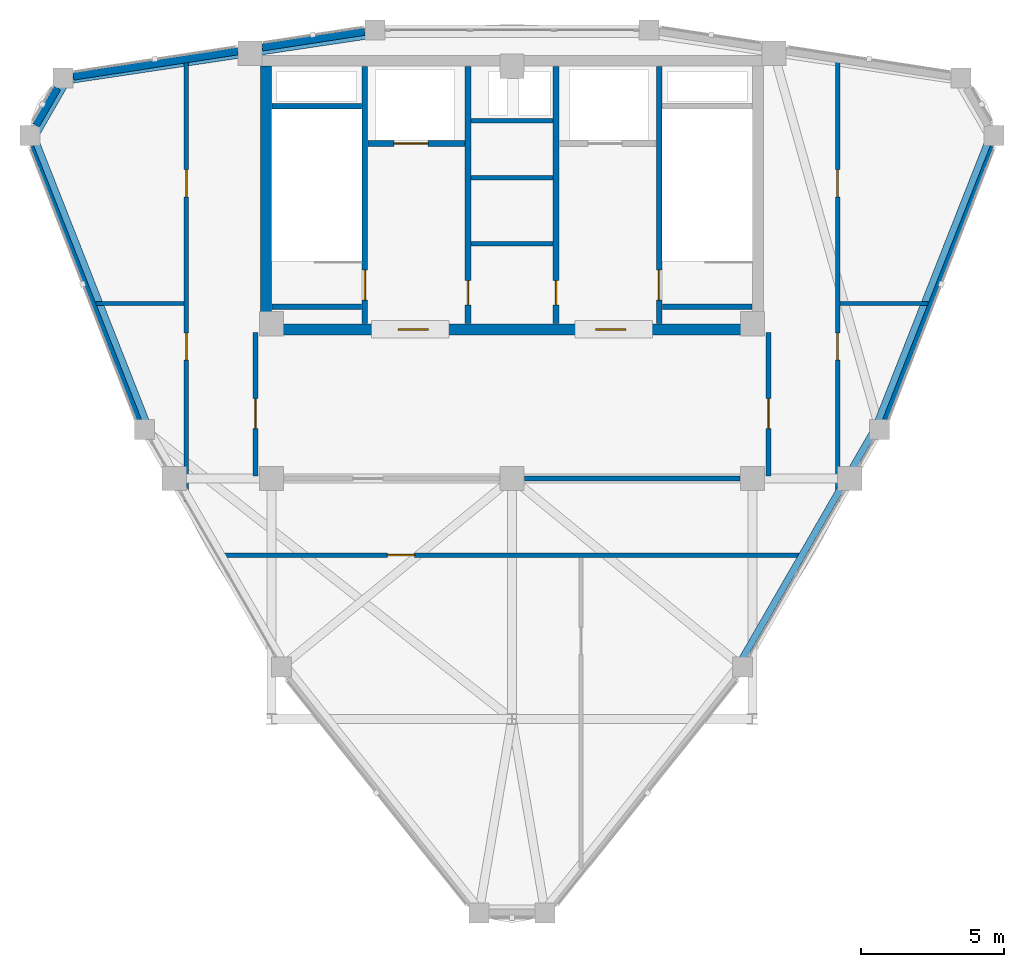
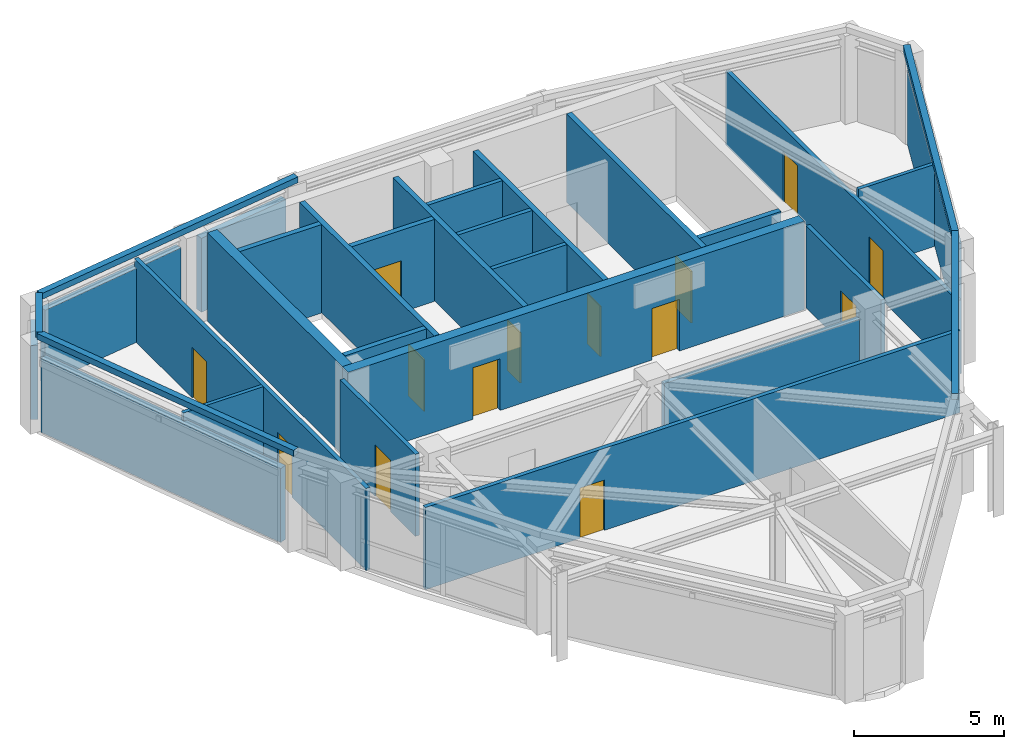
# One storey, part 11 of 13: 31 walls, 14 doors, 14 openings.
"""IFC4 building model written with IfcOpenShell, lengths in metres."""

from ifc_helpers import new_model, si_unit, derived_unit, direction, frame, frame_2d, origin, place, context, subcontext, project, spatial, rectangle, extrude, material, layer, layer_set, type_object, element, fill, save


model = new_model("IFC4")

# Units and contexts
model_context = context("Model", 3, precision=1e-05, world=origin(), true_north=direction((0.0, 1.0)))
body_context = subcontext(model_context, "Body", "Model", "MODEL_VIEW")
ifc_project = project(units=[si_unit("LENGTHUNIT", "METRE"), si_unit("AREAUNIT", "SQUARE_METRE"), si_unit("VOLUMEUNIT", "CUBIC_METRE"), si_unit("PLANEANGLEUNIT", "RADIAN"), si_unit("MASSUNIT", "GRAM", prefix="KILO"), derived_unit("THERMALTRANSMITTANCEUNIT", [(si_unit("POWERUNIT", "WATT"), 1), (si_unit("LENGTHUNIT", "METRE"), -2), (si_unit("THERMODYNAMICTEMPERATUREUNIT", "KELVIN"), -1)])], contexts=[model_context])

# Site, building, storey
site_placement = place(None, origin())
site = spatial("IfcSite", under=ifc_project, at=site_placement, CompositionType="ELEMENT")
building_placement = place(site_placement, origin())
building = spatial("IfcBuilding", under=site, at=building_placement, Name="Korsvarv Bourse and Concert Hall", CompositionType="ELEMENT")
storey_placement = place(building_placement, frame((0.0, 0.0, 296.10009765625)))
storey = spatial("IfcBuildingStorey", under=building, at=storey_placement, Name="L77", CompositionType="ELEMENT", Elevation=296.10009765625)

# Wall, openings, doors
ifc_material_1 = material(Name="Concrete C50/60", Category="concrete")
ifc_layer_1 = layer(ifc_material_1, 0.3798828125)
ifc_layer_set_1 = layer_set([ifc_layer_1], Name="Concrete C50/60")
wall_type_1 = type_object("IfcWallType", Name="WL-CORE-380", PredefinedType="SHEAR", material=ifc_layer_set_1)
wall_1_placement = place(storey_placement, frame((27.219970703125, 37.610107421875, 0.0), z_axis=(0.0, 0.0, 1.0), x_axis=(1.0, 0.0, 0.0)))
wall_1 = element("IfcWall", 1, at=wall_1_placement, inside=storey, type_object=wall_type_1, Name="L77 South Core Shear Wall", PredefinedType="SHEAR", context=body_context, shape_type="SweptSolid", body=[
    extrude(rectangle(XDim=17.56005859375, YDim=0.3798828125, at=frame_2d((8.780029296875, 0.0))), origin(), (0.0, 0.0, 1.0), 3.599853515625),
])
opening_1_placement = place(wall_1_placement, frame((4.804931640625, 0.0, 0.0)))
opening_1 = element("IfcOpeningElement", 2, at=opening_1_placement, cuts=wall_1, Name="Opening D-01", PredefinedType="OPENING", context=body_context, shape_type="SweptSolid", body=[
    extrude(rectangle(XDim=1.050048828125, YDim=2.10009765625, at=frame_2d((0.52490234375, 1.050048828125))), frame((0.0, 0.199951171875, 0.0), z_axis=(0.0, -1.0, 0.0), x_axis=(1.0, 0.0, 0.0)), (0.0, 0.0, 1.0), 0.39990234375),
])
opening_2_placement = place(wall_1_placement, frame((11.705078125, 0.0, 0.0)))
opening_2 = element("IfcOpeningElement", 3, at=opening_2_placement, cuts=wall_1, Name="Opening D-01", PredefinedType="OPENING", context=body_context, shape_type="SweptSolid", body=[
    extrude(rectangle(XDim=1.050048828125, YDim=2.10009765625, at=frame_2d((0.52490234375, 1.050048828125))), frame((0.0, 0.199951171875, 0.0), z_axis=(0.0, -1.0, 0.0), x_axis=(1.0, 0.0, 0.0)), (0.0, 0.0, 1.0), 0.39990234375),
])
ifc_material_2 = material(Name="Steel S355 fire door", Category="steel")
door_type_1 = type_object("IfcDoorType", Name="DR-FD60", OperationType="NOTDEFINED", PredefinedType="DOOR", material=ifc_material_2)
door_1_placement = place(opening_1_placement, frame((1.050048828125, 0.0, 0.0), z_axis=(0.0, 0.0, 1.0), x_axis=(-1.0, 0.0, 0.0)))
door_1 = element("IfcDoor", 4, at=door_1_placement, inside=storey, type_object=door_type_1, Name="L77 firefighting lobby fire door DR-L77-FFLW", OperationType="SINGLE_SWING_RIGHT", OverallHeight=2.10009765625, OverallWidth=1.050048828125, PredefinedType="DOOR", context=body_context, shape_type="SweptSolid", body=[
    extrude(rectangle(XDim=1.050048828125, YDim=2.10009765625, at=frame_2d((0.52490234375, 1.050048828125))), frame((0.0, 0.02490234375, 0.0), z_axis=(0.0, -1.0, 0.0), x_axis=(1.0, 0.0, 0.0)), (0.0, 0.0, 1.0), 0.050048828125),
])
fill(opening_1, door_1)
door_2_placement = place(opening_2_placement, frame((1.050048828125, 0.0, 0.0), z_axis=(0.0, 0.0, 1.0), x_axis=(-1.0, 0.0, 0.0)))
door_2 = element("IfcDoor", 5, at=door_2_placement, inside=storey, type_object=door_type_1, Name="L77 firefighting lobby fire door DR-L77-FFLE", OperationType="SINGLE_SWING_LEFT", OverallHeight=2.10009765625, OverallWidth=1.050048828125, PredefinedType="DOOR", context=body_context, shape_type="SweptSolid", body=[
    extrude(rectangle(XDim=1.050048828125, YDim=2.10009765625, at=frame_2d((0.52490234375, 1.050048828125))), frame((0.0, 0.02490234375, 0.0), z_axis=(0.0, -1.0, 0.0), x_axis=(1.0, 0.0, 0.0)), (0.0, 0.0, 1.0), 0.050048828125),
])
fill(opening_2, door_2)

# Wall
wall_2_placement = place(storey_placement, frame((27.409912109375, 37.800048828125, 0.0), z_axis=(0.0, 0.0, 1.0), x_axis=(0.0, 1.0, 0.0)))
element("IfcWall", 6, at=wall_2_placement, inside=storey, type_object=wall_type_1, Name="L77 West Core Shear Wall", PredefinedType="SHEAR", context=body_context, shape_type="SweptSolid", body=[
    extrude(rectangle(XDim=9.0, YDim=0.3798828125, at=frame_2d((4.5, 0.0))), origin(), (0.0, 0.0, 1.0), 3.599853515625),
])

# Wall, opening, door
wall_3_placement = place(storey_placement, frame((30.860107421875, 37.81005859375, 0.0), z_axis=(0.0, 0.0, 1.0), x_axis=(0.0, 1.0, 0.0)))
wall_3 = element("IfcWall", 7, at=wall_3_placement, inside=storey, type_object=wall_type_1, Name="L77 stair shaft structural wall W-L77-ST1-E", PredefinedType="SHEAR", context=body_context, shape_type="SweptSolid", body=[
    extrude(rectangle(XDim=8.97998046875, YDim=0.199951171875, at=frame_2d((4.489990234375, 0.0))), origin(), (0.0, 0.0, 1.0), 3.599853515625),
])
opening_3_placement = place(wall_3_placement, frame((0.820068359375, 0.0, 0.0)))
opening_3 = element("IfcOpeningElement", 8, at=opening_3_placement, cuts=wall_3, Name="Opening D-01", PredefinedType="OPENING", context=body_context, shape_type="SweptSolid", body=[
    extrude(rectangle(XDim=1.050048828125, YDim=2.10009765625, at=frame_2d((0.52490234375, 1.050048828125))), frame((0.0, 0.10986328125, 0.0), z_axis=(0.0, -1.0, 0.0), x_axis=(1.0, 0.0, 0.0)), (0.0, 0.0, 1.0), 0.219970703125),
])
door_3_placement = place(opening_3_placement, origin())
door_3 = element("IfcDoor", 9, at=door_3_placement, inside=storey, type_object=door_type_1, Name="L77 interior door DR-L77-ST1", OperationType="SINGLE_SWING_LEFT", OverallHeight=2.10009765625, OverallWidth=1.050048828125, PredefinedType="DOOR", context=body_context, shape_type="SweptSolid", body=[
    extrude(rectangle(XDim=1.050048828125, YDim=2.10009765625, at=frame_2d((0.52490234375, 1.050048828125))), frame((0.0, 0.02490234375, 0.0), z_axis=(0.0, -1.0, 0.0), x_axis=(1.0, 0.0, 0.0)), (0.0, 0.0, 1.0), 0.050048828125),
])
fill(opening_3, door_3)

# Walls
for number, where, z_axis, x_axis, name in (
    (10, (27.610107421875, 45.39990234375, 0.0), (0.0, 0.0, 1.0), (1.0, 0.0, 0.0), "L77 stair shaft structural wall W-L77-ST1-N"),
    (11, (27.610107421875, 38.39990234375, 0.0), (0.0, 0.0, 1.0), (1.0, 0.0, 0.0), "L77 stair shaft structural wall W-L77-ST1-S"),
):
    element("IfcWall", number, at=place(storey_placement, frame(where, z_axis=z_axis, x_axis=x_axis)), inside=storey, type_object=wall_type_1, Name=name, PredefinedType="SHEAR", context=body_context, shape_type="SweptSolid", body=[
        extrude(rectangle(XDim=3.139892578125, YDim=0.199951171875, at=frame_2d((1.56982421875, 0.0))), origin(), (0.0, 0.0, 1.0), 3.599853515625),
    ])

# Wall, opening, door
wall_4_placement = place(storey_placement, frame((41.139892578125, 37.81005859375, 0.0), z_axis=(0.0, 0.0, 1.0), x_axis=(0.0, 1.0, 0.0)))
wall_4 = element("IfcWall", 12, at=wall_4_placement, inside=storey, type_object=wall_type_1, Name="L77 stair shaft structural wall W-L77-ST2-W", PredefinedType="SHEAR", context=body_context, shape_type="SweptSolid", body=[
    extrude(rectangle(XDim=8.97998046875, YDim=0.199951171875, at=frame_2d((4.489990234375, 0.0))), origin(), (0.0, 0.0, 1.0), 3.599853515625),
])
opening_4_placement = place(wall_4_placement, frame((0.820068359375, 0.0, 0.0)))
opening_4 = element("IfcOpeningElement", 13, at=opening_4_placement, cuts=wall_4, Name="Opening D-01", PredefinedType="OPENING", context=body_context, shape_type="SweptSolid", body=[
    extrude(rectangle(XDim=1.050048828125, YDim=2.10009765625, at=frame_2d((0.52490234375, 1.050048828125))), frame((0.0, 0.10986328125, 0.0), z_axis=(0.0, -1.0, 0.0), x_axis=(1.0, 0.0, 0.0)), (0.0, 0.0, 1.0), 0.219970703125),
])
door_4_placement = place(opening_4_placement, frame((1.050048828125, 0.0, 0.0), z_axis=(0.0, 0.0, 1.0), x_axis=(-1.0, 0.0, 0.0)))
door_4 = element("IfcDoor", 14, at=door_4_placement, inside=storey, type_object=door_type_1, Name="L77 interior door DR-L77-ST2", OperationType="SINGLE_SWING_RIGHT", OverallHeight=2.10009765625, OverallWidth=1.050048828125, PredefinedType="DOOR", context=body_context, shape_type="SweptSolid", body=[
    extrude(rectangle(XDim=1.050048828125, YDim=2.10009765625, at=frame_2d((0.52490234375, 1.050048828125))), frame((0.0, 0.02490234375, 0.0), z_axis=(0.0, -1.0, 0.0), x_axis=(1.0, 0.0, 0.0)), (0.0, 0.0, 1.0), 0.050048828125),
])
fill(opening_4, door_4)

# Walls
wall_5_placement = place(storey_placement, frame((41.25, 38.39990234375, 0.0), z_axis=(0.0, 0.0, 1.0), x_axis=(1.0, 0.0, 0.0)))
element("IfcWall", 15, at=wall_5_placement, inside=storey, type_object=wall_type_1, Name="L77 stair shaft structural wall W-L77-ST2-S", PredefinedType="SHEAR", context=body_context, shape_type="SweptSolid", body=[
    extrude(rectangle(XDim=3.139892578125, YDim=0.199951171875, at=frame_2d((1.56982421875, 0.0))), origin(), (0.0, 0.0, 1.0), 3.599853515625),
])
ifc_material_3 = material(Name="Insulated aluminium and terracotta crown enclosure wall", Category="concrete")
ifc_layer_2 = layer(ifc_material_3, 0.260009765625)
ifc_layer_set_2 = layer_set([ifc_layer_2], Name="Insulated aluminium and terracotta crown enclosure wall")
wall_type_2 = type_object("IfcWallType", Name="WL-EXT-CRN", PredefinedType="SOLIDWALL", material=ifc_layer_set_2)
wall_6_placement = place(storey_placement, frame((30.855224609375, 48.01025390625, 0.0), z_axis=(0.0, 0.0, 1.0), x_axis=(-0.988360771452, -0.152128187575, 0.0)))
element("IfcWall", 16, at=wall_6_placement, inside=storey, type_object=wall_type_2, Name="L77 terracotta exterior wall EW-L77-CRN04-1", PredefinedType="SOLIDWALL", context=body_context, shape_type="SweptSolid", body=[
    extrude(rectangle(XDim=3.6171875, YDim=0.260009765625, at=frame_2d((1.80859375, 0.0))), origin(), (0.0, 0.0, 1.0), 3.010009765625),
])
wall_7_placement = place(storey_placement, frame((26.419921875, 47.327392578125, 0.0), z_axis=(0.0, 0.0, 1.0), x_axis=(-0.98836100704, -0.152126656979, 0.0)))
element("IfcWall", 17, at=wall_7_placement, inside=storey, type_object=wall_type_2, Name="L77 terracotta exterior wall EW-L77-CRN04-2", PredefinedType="SOLIDWALL", context=body_context, shape_type="SweptSolid", body=[
    extrude(rectangle(XDim=5.8095703125, YDim=0.260009765625, at=frame_2d((2.90478515625, 0.0))), origin(), (0.0, 0.0, 1.0), 3.010009765625),
])
wall_8_placement = place(storey_placement, frame((20.117919921875, 46.03369140625, 0.0), z_axis=(0.0, 0.0, 1.0), x_axis=(-0.500033033937, -0.866006330792, 0.0)))
element("IfcWall", 18, at=wall_8_placement, inside=storey, type_object=wall_type_2, Name="L77 terracotta exterior wall EW-L77-CRN05", PredefinedType="SOLIDWALL", context=body_context, shape_type="SweptSolid", body=[
    extrude(rectangle(XDim=1.4970703125, YDim=0.260009765625, at=frame_2d((0.74853515625, 0.0))), origin(), (0.0, 0.0, 1.0), 3.010009765625),
])
for number, where, z_axis, x_axis, name in (
    (19, (19.302490234375, 44.02734375, 0.0), (0.0, 0.0, 1.0), (0.362411790687, -0.93201807599, 0.0), "L77 terracotta exterior wall EW-L77-CRN06"),
    (20, (48.9814453125, 34.470703125, 0.0), (0.0, 0.0, 1.0), (0.362411790687, 0.93201807599, 0.0), "L77 terracotta exterior wall EW-L77-CRN12"),
):
    element("IfcWall", number, at=place(storey_placement, frame(where, z_axis=z_axis, x_axis=x_axis)), inside=storey, type_object=wall_type_2, Name=name, PredefinedType="SOLIDWALL", context=body_context, shape_type="SweptSolid", body=[
        extrude(rectangle(XDim=10.253662109375, YDim=0.260009765625, at=frame_2d((5.126953125, 0.0))), origin(), (0.0, 0.0, 1.0), 3.010009765625),
    ])

# Wall, opening, door
ifc_material_4 = material(Name="Reinforced concrete blockwork C35/45 fire wall", Category="concrete")
ifc_layer_3 = layer(ifc_material_4, 0.199951171875)
ifc_layer_set_3 = layer_set([ifc_layer_3], Name="Reinforced concrete blockwork C35/45 fire wall")
wall_type_3 = type_object("IfcWallType", Name="WL-INT-EI120", PredefinedType="PARTITIONING", material=ifc_layer_set_3)
wall_9_placement = place(storey_placement, frame((30.969970703125, 44.10009765625, 0.0), z_axis=(0.0, 0.0, 1.0), x_axis=(1.0, 0.0, 0.0)))
wall_9 = element("IfcWall", 21, at=wall_9_placement, inside=storey, type_object=wall_type_3, Name="L77 interior partition wall W-L77-FF1-S", PredefinedType="PARTITIONING", context=body_context, shape_type="SweptSolid", body=[
    extrude(rectangle(XDim=3.380126953125, YDim=0.199951171875, at=frame_2d((1.68994140625, 0.0))), origin(), (0.0, 0.0, 1.0), 3.33984375),
])
opening_5_placement = place(wall_9_placement, frame((0.89990234375, 0.0, 0.0)))
opening_5 = element("IfcOpeningElement", 22, at=opening_5_placement, cuts=wall_9, Name="Opening LD-1", PredefinedType="OPENING", context=body_context, shape_type="SweptSolid", body=[
    extrude(rectangle(XDim=1.199951171875, YDim=2.10009765625, at=frame_2d((0.60009765625, 1.050048828125))), frame((0.0, 0.10986328125, 0.0), z_axis=(0.0, -1.0, 0.0), x_axis=(1.0, 0.0, 0.0)), (0.0, 0.0, 1.0), 0.219970703125),
])
ifc_material_5 = material(Name="Stainless Steel S355 firefighting lift landing door", Category="steel")
door_type_2 = type_object("IfcDoorType", Name="DR-LIFT-FF", OperationType="DOUBLE_DOOR_SLIDING", PredefinedType="DOOR", material=ifc_material_5)
door_5_placement = place(opening_5_placement, origin())
door_5 = element("IfcDoor", 23, at=door_5_placement, inside=storey, type_object=door_type_2, Name="L77 lift sliding landing door LD-L77-FF1", OperationType="DOUBLE_DOOR_SLIDING", OverallHeight=2.10009765625, OverallWidth=1.199951171875, PredefinedType="DOOR", context=body_context, shape_type="SweptSolid", body=[
    extrude(rectangle(XDim=1.199951171875, YDim=2.10009765625, at=frame_2d((0.60009765625, 1.050048828125))), frame((0.0, 0.02490234375, 0.0), z_axis=(0.0, -1.0, 0.0), x_axis=(1.0, 0.0, 0.0)), (0.0, 0.0, 1.0), 0.050048828125),
])
fill(opening_5, door_5)

wall_10_placement = place(storey_placement, frame((34.4599609375, 37.81005859375, 0.0), z_axis=(0.0, 0.0, 1.0), x_axis=(0.0, 1.0, 0.0)))
wall_10 = element("IfcWall", 24, at=wall_10_placement, inside=storey, type_object=wall_type_3, Name="L77 interior partition wall W-L77-CSB-W", PredefinedType="PARTITIONING", context=body_context, shape_type="SweptSolid", body=[
    extrude(rectangle(XDim=8.97998046875, YDim=0.199951171875, at=frame_2d((4.489990234375, 0.0))), origin(), (0.0, 0.0, 1.0), 3.33984375),
])
opening_6_placement = place(wall_10_placement, frame((0.64990234375, 0.0, 0.0)))
opening_6 = element("IfcOpeningElement", 25, at=opening_6_placement, cuts=wall_10, Name="Opening D-05", PredefinedType="OPENING", context=body_context, shape_type="SweptSolid", body=[
    extrude(rectangle(XDim=0.85009765625, YDim=2.050048828125, at=frame_2d((0.425048828125, 1.02490234375))), frame((0.0, 0.10986328125, 0.0), z_axis=(0.0, -1.0, 0.0), x_axis=(1.0, 0.0, 0.0)), (0.0, 0.0, 1.0), 0.219970703125),
])
door_type_3 = type_object("IfcDoorType", Name="DR-FD60-850X2050", OperationType="NOTDEFINED", PredefinedType="DOOR", material=ifc_material_2)
door_6_placement = place(opening_6_placement, frame((0.85009765625, 0.0, 0.0), z_axis=(0.0, 0.0, 1.0), x_axis=(-1.0, 0.0, 0.0)))
door_6 = element("IfcDoor", 26, at=door_6_placement, inside=storey, type_object=door_type_3, Name="L77 interior door DR-L77-CSB1", OperationType="SINGLE_SWING_LEFT", OverallHeight=2.050048828125, OverallWidth=0.85009765625, PredefinedType="DOOR", context=body_context, shape_type="SweptSolid", body=[
    extrude(rectangle(XDim=0.85009765625, YDim=2.050048828125, at=frame_2d((0.425048828125, 1.02490234375))), frame((0.0, 0.02490234375, 0.0), z_axis=(0.0, -1.0, 0.0), x_axis=(1.0, 0.0, 0.0)), (0.0, 0.0, 1.0), 0.050048828125),
])
fill(opening_6, door_6)

wall_11_placement = place(storey_placement, frame((37.5400390625, 37.81005859375, 0.0), z_axis=(0.0, 0.0, 1.0), x_axis=(0.0, 1.0, 0.0)))
wall_11 = element("IfcWall", 27, at=wall_11_placement, inside=storey, type_object=wall_type_3, Name="L77 interior partition wall W-L77-CSB-E", PredefinedType="PARTITIONING", context=body_context, shape_type="SweptSolid", body=[
    extrude(rectangle(XDim=8.97998046875, YDim=0.199951171875, at=frame_2d((4.489990234375, 0.0))), origin(), (0.0, 0.0, 1.0), 3.33984375),
])
opening_7_placement = place(wall_11_placement, frame((0.64990234375, 0.0, 0.0)))
opening_7 = element("IfcOpeningElement", 28, at=opening_7_placement, cuts=wall_11, Name="Opening D-05", PredefinedType="OPENING", context=body_context, shape_type="SweptSolid", body=[
    extrude(rectangle(XDim=0.85009765625, YDim=2.050048828125, at=frame_2d((0.425048828125, 1.02490234375))), frame((0.0, 0.10986328125, 0.0), z_axis=(0.0, -1.0, 0.0), x_axis=(1.0, 0.0, 0.0)), (0.0, 0.0, 1.0), 0.219970703125),
])
door_7_placement = place(opening_7_placement, origin())
door_7 = element("IfcDoor", 29, at=door_7_placement, inside=storey, type_object=door_type_3, Name="L77 interior door DR-L77-CSB2", OperationType="SINGLE_SWING_RIGHT", OverallHeight=2.050048828125, OverallWidth=0.85009765625, PredefinedType="DOOR", context=body_context, shape_type="SweptSolid", body=[
    extrude(rectangle(XDim=0.85009765625, YDim=2.050048828125, at=frame_2d((0.425048828125, 1.02490234375))), frame((0.0, 0.02490234375, 0.0), z_axis=(0.0, -1.0, 0.0), x_axis=(1.0, 0.0, 0.0)), (0.0, 0.0, 1.0), 0.050048828125),
])
fill(opening_7, door_7)

# Walls
ifc_material_6 = material(Name="Double-stud fire-rated acoustic partition", Category="gypsum")
ifc_layer_4 = layer(ifc_material_6, 0.159912109375)
ifc_layer_set_4 = layer_set([ifc_layer_4], Name="Double-stud fire-rated acoustic partition")
wall_type_4 = type_object("IfcWallType", Name="WL-INT-EI60", PredefinedType="PARTITIONING", material=ifc_layer_set_4)
for number, where, z_axis, x_axis, name in (
    (30, (34.570068359375, 40.60009765625, 0.0), (0.0, 0.0, 1.0), (1.0, 0.0, 0.0), "L77 interior partition wall W-L77-K1"),
    (31, (34.570068359375, 42.89990234375, 0.0), (0.0, 0.0, 1.0), (1.0, 0.0, 0.0), "L77 interior partition wall W-L77-K2"),
    (32, (34.570068359375, 44.89990234375, 0.0), (0.0, 0.0, 1.0), (1.0, 0.0, 0.0), "L77 interior partition wall W-L77-K3"),
):
    element("IfcWall", number, at=place(storey_placement, frame(where, z_axis=z_axis, x_axis=x_axis)), inside=storey, type_object=wall_type_4, Name=name, PredefinedType="PARTITIONING", context=body_context, shape_type="SweptSolid", body=[
        extrude(rectangle(XDim=2.85986328125, YDim=0.159912109375, at=frame_2d((1.429931640625, 0.0))), origin(), (0.0, 0.0, 1.0), 3.33984375),
    ])

# Wall, opening, door
wall_12_placement = place(storey_placement, frame((27.0400390625, 32.489990234375, 0.0), z_axis=(0.0, 0.0, 1.0), x_axis=(0.0, 1.0, 0.0)))
wall_12 = element("IfcWall", 33, at=wall_12_placement, inside=storey, type_object=wall_type_4, Name="L77 interior partition wall W-L77-CB-W", PredefinedType="PARTITIONING", context=body_context, shape_type="SweptSolid", body=[
    extrude(rectangle(XDim=5.010009765625, YDim=0.159912109375, at=frame_2d((2.5048828125, 0.0))), origin(), (0.0, 0.0, 1.0), 3.33984375),
])
opening_8_placement = place(wall_12_placement, frame((1.64990234375, 0.0, 0.0)))
opening_8 = element("IfcOpeningElement", 34, at=opening_8_placement, cuts=wall_12, Name="Opening D-01", PredefinedType="OPENING", context=body_context, shape_type="SweptSolid", body=[
    extrude(rectangle(XDim=1.050048828125, YDim=2.10009765625, at=frame_2d((0.52490234375, 1.050048828125))), frame((0.0, 0.08984375, 0.0), z_axis=(0.0, -1.0, 0.0), x_axis=(1.0, 0.0, 0.0)), (0.0, 0.0, 1.0), 0.179931640625),
])
door_8_placement = place(opening_8_placement, frame((1.050048828125, 0.0, 0.0), z_axis=(0.0, 0.0, 1.0), x_axis=(-1.0, 0.0, 0.0)))
door_8 = element("IfcDoor", 35, at=door_8_placement, inside=storey, type_object=door_type_1, Name="L77 interior door DR-L77-CLOB-W", OperationType="SINGLE_SWING_RIGHT", OverallHeight=2.10009765625, OverallWidth=1.050048828125, PredefinedType="DOOR", context=body_context, shape_type="SweptSolid", body=[
    extrude(rectangle(XDim=1.050048828125, YDim=2.10009765625, at=frame_2d((0.52490234375, 1.050048828125))), frame((0.0, 0.02490234375, 0.0), z_axis=(0.0, -1.0, 0.0), x_axis=(1.0, 0.0, 0.0)), (0.0, 0.0, 1.0), 0.050048828125),
])
fill(opening_8, door_8)

wall_13_placement = place(storey_placement, frame((44.9599609375, 32.489990234375, 0.0), z_axis=(0.0, 0.0, 1.0), x_axis=(0.0, 1.0, 0.0)))
wall_13 = element("IfcWall", 36, at=wall_13_placement, inside=storey, type_object=wall_type_4, Name="L77 interior partition wall W-L77-CB-E", PredefinedType="PARTITIONING", context=body_context, shape_type="SweptSolid", body=[
    extrude(rectangle(XDim=5.010009765625, YDim=0.159912109375, at=frame_2d((2.5048828125, 0.0))), origin(), (0.0, 0.0, 1.0), 3.33984375),
])
opening_9_placement = place(wall_13_placement, frame((1.64990234375, 0.0, 0.0)))
opening_9 = element("IfcOpeningElement", 37, at=opening_9_placement, cuts=wall_13, Name="Opening D-01", PredefinedType="OPENING", context=body_context, shape_type="SweptSolid", body=[
    extrude(rectangle(XDim=1.050048828125, YDim=2.10009765625, at=frame_2d((0.52490234375, 1.050048828125))), frame((0.0, 0.08984375, 0.0), z_axis=(0.0, -1.0, 0.0), x_axis=(1.0, 0.0, 0.0)), (0.0, 0.0, 1.0), 0.179931640625),
])
door_9_placement = place(opening_9_placement, origin())
door_9 = element("IfcDoor", 38, at=door_9_placement, inside=storey, type_object=door_type_1, Name="L77 interior door DR-L77-CLOB-E", OperationType="SINGLE_SWING_LEFT", OverallHeight=2.10009765625, OverallWidth=1.050048828125, PredefinedType="DOOR", context=body_context, shape_type="SweptSolid", body=[
    extrude(rectangle(XDim=1.050048828125, YDim=2.10009765625, at=frame_2d((0.52490234375, 1.050048828125))), frame((0.0, 0.02490234375, 0.0), z_axis=(0.0, -1.0, 0.0), x_axis=(1.0, 0.0, 0.0)), (0.0, 0.0, 1.0), 0.050048828125),
])
fill(opening_9, door_9)

wall_14_placement = place(storey_placement, frame((25.71142578125, 29.72509765625, 0.0), z_axis=(0.0, 0.0, 1.0), x_axis=(1.0, 0.0, 0.0)))
wall_14 = element("IfcWall", 39, at=wall_14_placement, inside=storey, type_object=wall_type_4, Name="L77 interior partition wall W-L77-CCOR-01", PredefinedType="PARTITIONING", context=body_context, shape_type="SweptSolid", body=[
    extrude(rectangle(XDim=20.5771484375, YDim=0.159912109375, at=frame_2d((10.28857421875, 0.0))), origin(), (0.0, 0.0, 1.0), 3.33984375),
])
opening_10_placement = place(wall_14_placement, frame((5.938232421875, 0.0, 0.0)))
opening_10 = element("IfcOpeningElement", 40, at=opening_10_placement, cuts=wall_14, Name="Opening D-02", PredefinedType="OPENING", context=body_context, shape_type="SweptSolid", body=[
    extrude(rectangle(XDim=0.949951171875, YDim=2.050048828125, at=frame_2d((0.47509765625, 1.02490234375))), frame((0.0, 0.08984375, 0.0), z_axis=(0.0, -1.0, 0.0), x_axis=(1.0, 0.0, 0.0)), (0.0, 0.0, 1.0), 0.179931640625),
])
ifc_material_7 = material(Name="Timber and steel acoustic fire door", Category="wood")
door_type_4 = type_object("IfcDoorType", Name="DR-FD30", OperationType="NOTDEFINED", PredefinedType="DOOR", material=ifc_material_7)
door_10_placement = place(opening_10_placement, origin())
door_10 = element("IfcDoor", 41, at=door_10_placement, inside=storey, type_object=door_type_4, Name="L77 interior door DR-L77-CCOR-CPL33", OperationType="SINGLE_SWING_RIGHT", OverallHeight=2.050048828125, OverallWidth=0.949951171875, PredefinedType="DOOR", context=body_context, shape_type="SweptSolid", body=[
    extrude(rectangle(XDim=0.949951171875, YDim=2.050048828125, at=frame_2d((0.47509765625, 1.02490234375))), frame((0.0, 0.02490234375, 0.0), z_axis=(0.0, -1.0, 0.0), x_axis=(1.0, 0.0, 0.0)), (0.0, 0.0, 1.0), 0.050048828125),
])
fill(opening_10, door_10)

# Wall, openings, doors
wall_15_placement = place(storey_placement, frame((47.375, 31.592041015625, 0.0), z_axis=(0.0, 0.0, 1.0), x_axis=(0.0, 1.0, 0.0)))
wall_15 = element("IfcWall", 42, at=wall_15_placement, inside=storey, type_object=wall_type_4, Name="L77 interior partition wall W-L77-CCOR-02", PredefinedType="PARTITIONING", context=body_context, shape_type="SweptSolid", body=[
    extrude(rectangle(XDim=15.43896484375, YDim=0.159912109375, at=frame_2d((7.719482421875, 0.0))), origin(), (0.0, 0.0, 1.0), 3.010009765625),
])
opening_11_placement = place(wall_15_placement, frame((4.939453125, 0.0, 0.0)))
opening_11 = element("IfcOpeningElement", 43, at=opening_11_placement, cuts=wall_15, Name="Opening D-02", PredefinedType="OPENING", context=body_context, shape_type="SweptSolid", body=[
    extrude(rectangle(XDim=0.949951171875, YDim=2.050048828125, at=frame_2d((0.47509765625, 1.02490234375))), frame((0.0, 0.08984375, 0.0), z_axis=(0.0, -1.0, 0.0), x_axis=(1.0, 0.0, 0.0)), (0.0, 0.0, 1.0), 0.179931640625),
])
opening_12_placement = place(wall_15_placement, frame((10.643310546875, 0.0, 0.0)))
opening_12 = element("IfcOpeningElement", 44, at=opening_12_placement, cuts=wall_15, Name="Opening D-02", PredefinedType="OPENING", context=body_context, shape_type="SweptSolid", body=[
    extrude(rectangle(XDim=0.949951171875, YDim=2.050048828125, at=frame_2d((0.47509765625, 1.02490234375))), frame((0.0, 0.08984375, 0.0), z_axis=(0.0, -1.0, 0.0), x_axis=(1.0, 0.0, 0.0)), (0.0, 0.0, 1.0), 0.179931640625),
])
door_11_placement = place(opening_11_placement, origin())
door_11 = element("IfcDoor", 45, at=door_11_placement, inside=storey, type_object=door_type_4, Name="L77 interior door DR-L77-CCOR-CPL21", OperationType="SINGLE_SWING_LEFT", OverallHeight=2.050048828125, OverallWidth=0.949951171875, PredefinedType="DOOR", context=body_context, shape_type="SweptSolid", body=[
    extrude(rectangle(XDim=0.949951171875, YDim=2.050048828125, at=frame_2d((0.47509765625, 1.02490234375))), frame((0.0, 0.02490234375, 0.0), z_axis=(0.0, -1.0, 0.0), x_axis=(1.0, 0.0, 0.0)), (0.0, 0.0, 1.0), 0.050048828125),
])
fill(opening_11, door_11)
door_12_placement = place(opening_12_placement, origin())
door_12 = element("IfcDoor", 46, at=door_12_placement, inside=storey, type_object=door_type_4, Name="L77 interior door DR-L77-CCOR-RM22", OperationType="SINGLE_SWING_RIGHT", OverallHeight=2.050048828125, OverallWidth=0.949951171875, PredefinedType="DOOR", context=body_context, shape_type="SweptSolid", body=[
    extrude(rectangle(XDim=0.949951171875, YDim=2.050048828125, at=frame_2d((0.47509765625, 1.02490234375))), frame((0.0, 0.02490234375, 0.0), z_axis=(0.0, -1.0, 0.0), x_axis=(1.0, 0.0, 0.0)), (0.0, 0.0, 1.0), 0.050048828125),
])
fill(opening_12, door_12)

wall_16_placement = place(storey_placement, frame((24.625, 31.592041015625, 0.0), z_axis=(0.0, 0.0, 1.0), x_axis=(0.0, 1.0, 0.0)))
wall_16 = element("IfcWall", 47, at=wall_16_placement, inside=storey, type_object=wall_type_4, Name="L77 interior partition wall W-L77-CCOR-03", PredefinedType="PARTITIONING", context=body_context, shape_type="SweptSolid", body=[
    extrude(rectangle(XDim=15.43896484375, YDim=0.159912109375, at=frame_2d((7.719482421875, 0.0))), origin(), (0.0, 0.0, 1.0), 3.33984375),
])
opening_13_placement = place(wall_16_placement, frame((4.939453125, 0.0, 0.0)))
opening_13 = element("IfcOpeningElement", 48, at=opening_13_placement, cuts=wall_16, Name="Opening D-02", PredefinedType="OPENING", context=body_context, shape_type="SweptSolid", body=[
    extrude(rectangle(XDim=0.949951171875, YDim=2.050048828125, at=frame_2d((0.47509765625, 1.02490234375))), frame((0.0, 0.08984375, 0.0), z_axis=(0.0, -1.0, 0.0), x_axis=(1.0, 0.0, 0.0)), (0.0, 0.0, 1.0), 0.179931640625),
])
opening_14_placement = place(wall_16_placement, frame((10.643310546875, 0.0, 0.0)))
opening_14 = element("IfcOpeningElement", 49, at=opening_14_placement, cuts=wall_16, Name="Opening D-02", PredefinedType="OPENING", context=body_context, shape_type="SweptSolid", body=[
    extrude(rectangle(XDim=0.949951171875, YDim=2.050048828125, at=frame_2d((0.47509765625, 1.02490234375))), frame((0.0, 0.08984375, 0.0), z_axis=(0.0, -1.0, 0.0), x_axis=(1.0, 0.0, 0.0)), (0.0, 0.0, 1.0), 0.179931640625),
])
door_13_placement = place(opening_13_placement, origin())
door_13 = element("IfcDoor", 50, at=door_13_placement, inside=storey, type_object=door_type_4, Name="L77 interior door DR-L77-CCOR-CPL15", OperationType="SINGLE_SWING_LEFT", OverallHeight=2.050048828125, OverallWidth=0.949951171875, PredefinedType="DOOR", context=body_context, shape_type="SweptSolid", body=[
    extrude(rectangle(XDim=0.949951171875, YDim=2.050048828125, at=frame_2d((0.47509765625, 1.02490234375))), frame((0.0, 0.02490234375, 0.0), z_axis=(0.0, -1.0, 0.0), x_axis=(1.0, 0.0, 0.0)), (0.0, 0.0, 1.0), 0.050048828125),
])
fill(opening_13, door_13)
door_14_placement = place(opening_14_placement, origin())
door_14 = element("IfcDoor", 51, at=door_14_placement, inside=storey, type_object=door_type_4, Name="L77 interior door DR-L77-CCOR-RM66", OperationType="SINGLE_SWING_RIGHT", OverallHeight=2.050048828125, OverallWidth=0.949951171875, PredefinedType="DOOR", context=body_context, shape_type="SweptSolid", body=[
    extrude(rectangle(XDim=0.949951171875, YDim=2.050048828125, at=frame_2d((0.47509765625, 1.02490234375))), frame((0.0, 0.02490234375, 0.0), z_axis=(0.0, -1.0, 0.0), x_axis=(1.0, 0.0, 0.0)), (0.0, 0.0, 1.0), 0.050048828125),
])
fill(opening_14, door_14)

# Walls
ifc_material_8 = material(Name="Gypsum-clad autoclaved concrete shaft wall C30/37", Category="concrete")
ifc_layer_5 = layer(ifc_material_8, 0.179931640625)
ifc_layer_set_5 = layer_set([ifc_layer_5], Name="Gypsum-clad autoclaved concrete shaft wall C30/37")
wall_type_5 = type_object("IfcWallType", Name="WL-INT-EI90", PredefinedType="PARTITIONING", material=ifc_layer_set_5)
wall_17_placement = place(storey_placement, frame((36.43994140625, 32.39990234375, 0.0), z_axis=(0.0, 0.0, 1.0), x_axis=(1.0, 0.0, 0.0)))
element("IfcWall", 52, at=wall_17_placement, inside=storey, type_object=wall_type_5, Name="L77 interior partition wall W-L77-CB-SE", PredefinedType="PARTITIONING", context=body_context, shape_type="SweptSolid", body=[
    extrude(rectangle(XDim=7.52001953125, YDim=0.179931640625, at=frame_2d((3.760009765625, 0.0))), origin(), (0.0, 0.0, 1.0), 3.010009765625),
])
ifc_material_9 = material(Name="Insulated steel-stud office acoustic partition", Category="gypsum")
ifc_layer_6 = layer(ifc_material_9, 0.139892578125)
ifc_layer_set_6 = layer_set([ifc_layer_6], Name="Insulated steel-stud office acoustic partition")
wall_type_6 = type_object("IfcWallType", Name="WL-INT-P1", PredefinedType="PARTITIONING", material=ifc_layer_set_6)
for number, where, z_axis, x_axis, name in (
    (53, (21.4697265625, 38.5048828125, 0.0), (0.0, 0.0, 1.0), (1.0, 0.0, 0.0), "L77 interior partition wall W-L77-CCOR-05"),
    (54, (47.45703125, 38.5048828125, 0.0), (0.0, 0.0, 1.0), (1.0, 0.0, 0.0), "L77 interior partition wall W-L77-CCOR-06"),
):
    element("IfcWall", number, at=place(storey_placement, frame(where, z_axis=z_axis, x_axis=x_axis)), inside=storey, type_object=wall_type_6, Name=name, PredefinedType="PARTITIONING", context=body_context, shape_type="SweptSolid", body=[
        extrude(rectangle(XDim=3.0732421875, YDim=0.139892578125, at=frame_2d((1.53662109375, 0.0))), origin(), (0.0, 0.0, 1.0), 3.33984375),
    ])
ifc_material_10 = material(Name="Precast concrete C45/55 roof parapet wall", Category="concrete")
ifc_layer_7 = layer(ifc_material_10, 0.239990234375)
ifc_layer_set_7 = layer_set([ifc_layer_7], Name="Precast concrete C45/55 roof parapet wall")
wall_type_7 = type_object("IfcWallType", Name="WL-PAR-240", PredefinedType="PARAPET", material=ifc_layer_set_7)
wall_18_placement = place(storey_placement, frame((31.269287109375, 47.916259765625, 3.599853515625), z_axis=(0.0, 0.0, 1.0), x_axis=(-0.989016466777, -0.147805373529, 0.0)))
element("IfcWall", 55, at=wall_18_placement, inside=storey, type_object=wall_type_7, Name="L77 Crown Roof Perimeter Parapet Upstand 4", PredefinedType="PARAPET", context=body_context, shape_type="SweptSolid", body=[
    extrude(rectangle(XDim=10.93310546875, YDim=0.239990234375, at=frame_2d((5.466552734375, 0.0))), origin(), (0.0, 0.0, 1.0), 0.239990234375),
])
wall_19_placement = place(storey_placement, frame((20.456298828125, 46.30029296875, 3.599853515625), z_axis=(0.0, 0.0, 1.0), x_axis=(-0.500059783319, -0.865990885118, 0.0)))
element("IfcWall", 56, at=wall_19_placement, inside=storey, type_object=wall_type_7, Name="L77 Crown Roof Perimeter Parapet Upstand 5", PredefinedType="PARAPET", context=body_context, shape_type="SweptSolid", body=[
    extrude(rectangle(XDim=2.297119140625, YDim=0.239990234375, at=frame_2d((1.1484375, 0.0))), origin(), (0.0, 0.0, 1.0), 0.239990234375),
])
wall_20_placement = place(storey_placement, frame((19.3076171875, 44.31103515625, 3.599853515625), z_axis=(0.0, 0.0, 1.0), x_axis=(0.366515145825, -0.930412084982, 0.0)))
element("IfcWall", 57, at=wall_20_placement, inside=storey, type_object=wall_type_7, Name="L77 Crown Roof Perimeter Parapet Upstand 6", PredefinedType="PARAPET", context=body_context, shape_type="SweptSolid", body=[
    extrude(rectangle(XDim=10.932861328125, YDim=0.239990234375, at=frame_2d((5.46630859375, 0.0))), origin(), (0.0, 0.0, 1.0), 0.239990234375),
])
wall_21_placement = place(storey_placement, frame((43.954345703125, 25.94482421875, 3.599853515625), z_axis=(0.0, 0.0, 1.0), x_axis=(0.500007603729, 0.866021013725, 0.0)))
element("IfcWall", 58, at=wall_21_placement, inside=storey, type_object=wall_type_7, Name="L77 Crown Roof Perimeter Parapet Upstand 11", PredefinedType="PARAPET", context=body_context, shape_type="SweptSolid", body=[
    extrude(rectangle(XDim=9.461669921875, YDim=0.239990234375, at=frame_2d((4.73095703125, 0.0))), origin(), (0.0, 0.0, 1.0), 0.239990234375),
])
wall_22_placement = place(storey_placement, frame((48.685302734375, 34.138916015625, 3.599853515625), z_axis=(0.0, 0.0, 1.0), x_axis=(0.366515145825, 0.930412084982, 0.0)))
element("IfcWall", 59, at=wall_22_placement, inside=storey, type_object=wall_type_7, Name="L77 Crown Roof Perimeter Parapet Upstand 12", PredefinedType="PARAPET", context=body_context, shape_type="SweptSolid", body=[
    extrude(rectangle(XDim=10.932861328125, YDim=0.239990234375, at=frame_2d((5.46630859375, 0.0))), origin(), (0.0, 0.0, 1.0), 0.239990234375),
])

save(model, "model.ifc")
